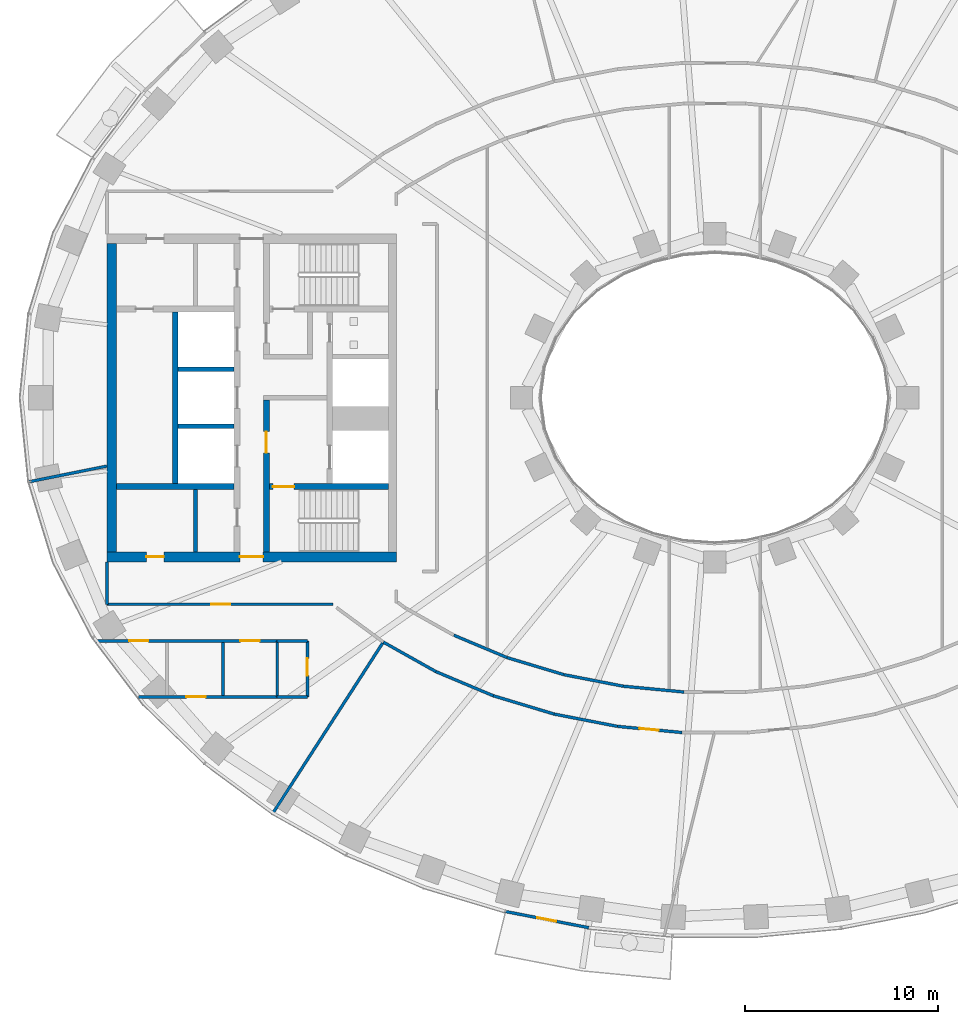
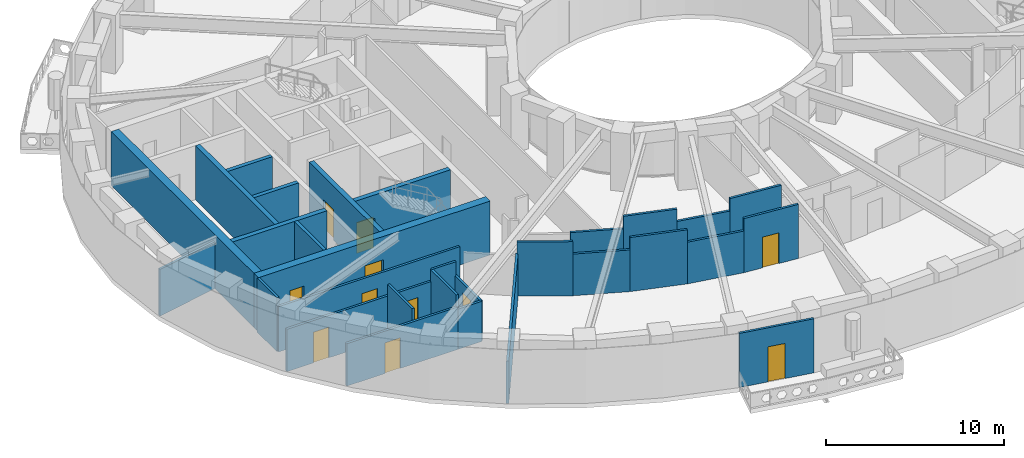
# One storey, part 3 of 16: 30 walls, 11 doors, 11 openings.
"""IFC4 building model written with IfcOpenShell, lengths in metres."""

from ifc_helpers import new_model, si_unit, direction, frame, frame_2d, origin, place, context, subcontext, project, spatial, rectangle, extrude, material, layer, layer_set, type_object, element, fill, save


model = new_model("IFC4")

# Units and contexts
model_context = context("Model", 3, precision=1e-05, world=origin(), true_north=direction((0.0, 1.0)))
body_context = subcontext(model_context, "Body", "Model", "MODEL_VIEW")
ifc_project = project(units=[si_unit("LENGTHUNIT", "METRE"), si_unit("AREAUNIT", "SQUARE_METRE"), si_unit("VOLUMEUNIT", "CUBIC_METRE"), si_unit("PLANEANGLEUNIT", "RADIAN"), si_unit("MASSUNIT", "GRAM", prefix="KILO")], contexts=[model_context])

# Site, building, storey
site_placement = place(None, origin())
site = spatial("IfcSite", under=ifc_project, at=site_placement, CompositionType="ELEMENT")
building_placement = place(site_placement, origin())
building = spatial("IfcBuilding", under=site, at=building_placement, Name="Noorbagh Ring Tower", CompositionType="ELEMENT")
storey_placement = place(building_placement, frame((0.0, 0.0, 136.0)))
storey = spatial("IfcBuildingStorey", under=building, at=storey_placement, Name="L31", CompositionType="ELEMENT", Elevation=136.0)

# Walls
ifc_material_1 = material(Name="Gypsum board on steel studs", Category="steel")
ifc_layer_1 = layer(ifc_material_1, 0.14990234375)
ifc_layer_set_1 = layer_set([ifc_layer_1], Name="Gypsum board on steel studs")
wall_type_1 = type_object("IfcWallType", Name="COMPARTMENT PARTITION 150 EI 60", PredefinedType="PARTITIONING", material=ifc_layer_set_1)
wall_1_placement = place(storey_placement, frame((-22.6689453125, -15.5, 0.0), z_axis=(0.0, 0.0, 1.0), x_axis=(0.0, 1.0, 0.0)))
element("IfcWall", 1, at=wall_1_placement, inside=storey, type_object=wall_type_1, Name="L31/wall/P11", PredefinedType="PARTITIONING", context=body_context, shape_type="SweptSolid", body=[
    extrude(rectangle(XDim=2.89990234375, YDim=0.14990234375, at=frame_2d((1.449951171875, 0.0))), origin(), (0.0, 0.0, 1.0), 3.699951171875),
])
wall_2_placement = place(storey_placement, frame((-22.6689453125, -15.5, 0.0), z_axis=(0.0, 0.0, 1.0), x_axis=(1.0, 0.0, 0.0)))
element("IfcWall", 2, at=wall_2_placement, inside=storey, type_object=wall_type_1, Name="L31/wall/P12", PredefinedType="PARTITIONING", context=body_context, shape_type="SweptSolid", body=[
    extrude(rectangle(XDim=1.554931640625, YDim=0.14990234375, at=frame_2d((0.77734375, 0.0))), origin(), (0.0, 0.0, 1.0), 2.75),
])
wall_3_placement = place(storey_placement, frame((-22.6689453125, -12.60009765625, 0.0), z_axis=(0.0, 0.0, 1.0), x_axis=(1.0, 0.0, 0.0)))
element("IfcWall", 3, at=wall_3_placement, inside=storey, type_object=wall_type_1, Name="L31/wall/P13", PredefinedType="PARTITIONING", context=body_context, shape_type="SweptSolid", body=[
    extrude(rectangle(XDim=1.558837890625, YDim=0.14990234375, at=frame_2d((0.779296875, 0.0))), origin(), (0.0, 0.0, 1.0), 3.699951171875),
])

# Wall, opening, door
wall_4_placement = place(storey_placement, frame((-21.110107421875, -15.49609375, 0.0), z_axis=(0.0, 0.0, 1.0), x_axis=(0.0, 1.0, 0.0)))
wall_4 = element("IfcWall", 4, at=wall_4_placement, inside=storey, type_object=wall_type_1, Name="L31/wall/P14", PredefinedType="PARTITIONING", context=body_context, shape_type="SweptSolid", body=[
    extrude(rectangle(XDim=2.89599609375, YDim=0.14990234375, at=frame_2d((1.447998046875, 0.0))), origin(), (0.0, 0.0, 1.0), 2.75),
])
opening_1_placement = place(wall_4_placement, frame((1.095947265625, 0.0, 0.0)))
opening_1 = element("IfcOpeningElement", 5, at=opening_1_placement, cuts=wall_4, Name="Opening D4", PredefinedType="OPENING", context=body_context, shape_type="SweptSolid", body=[
    extrude(rectangle(XDim=0.89990234375, YDim=2.10009765625, at=frame_2d((0.449951171875, 1.050048828125))), frame((0.0, 0.0849609375, 0.0), z_axis=(0.0, -1.0, 0.0), x_axis=(1.0, 0.0, 0.0)), (0.0, 0.0, 1.0), 0.169921875),
])
ifc_material_2 = material(Name="Timber, painted", Category="wood")
door_type_1 = type_object("IfcDoorType", Name="DOOR 900 X 2100 FD60", OperationType="SINGLE_SWING_LEFT", PredefinedType="DOOR", material=ifc_material_2)
door_1_placement = place(opening_1_placement, origin())
door_1 = element("IfcDoor", 6, at=door_1_placement, inside=storey, type_object=door_type_1, Name="L31-D05", OperationType="SINGLE_SWING_LEFT", OverallHeight=2.10009765625, OverallWidth=0.89990234375, PredefinedType="DOOR", context=body_context, shape_type="SweptSolid", body=[
    extrude(rectangle(XDim=0.89990234375, YDim=2.10009765625, at=frame_2d((0.449951171875, 1.050048828125))), frame((0.0, 0.02490234375, 0.0), z_axis=(0.0, -1.0, 0.0), x_axis=(1.0, 0.0, 0.0)), (0.0, 0.0, 1.0), 0.050048828125),
])
fill(opening_1, door_1)

# Walls
ifc_material_3 = material(Name="Gypsum board on steel studs", Category="steel")
ifc_layer_2 = layer(ifc_material_3, 0.199951171875)
ifc_layer_set_2 = layer_set([ifc_layer_2], Name="Gypsum board on steel studs")
wall_type_2 = type_object("IfcWallType", Name="CORE-PARTITION-200", PredefinedType="PARTITIONING", material=ifc_layer_set_2)
wall_5_placement = place(storey_placement, frame((-26.89990234375, -8.0, 0.0), z_axis=(0.0, 0.0, 1.0), x_axis=(0.0, 1.0, 0.0)))
element("IfcWall", 7, at=wall_5_placement, inside=storey, type_object=wall_type_2, Name="Core partition W", PredefinedType="PARTITIONING", context=body_context, shape_type="SweptSolid", body=[
    extrude(rectangle(XDim=3.25, YDim=0.199951171875, at=frame_2d((1.625, 0.0))), origin(), (0.0, 0.0, 1.0), 3.699951171875),
])
ifc_material_4 = material(Name="Concrete C70/85", Category="concrete")
ifc_layer_3 = layer(ifc_material_4, 0.25)
ifc_layer_set_3 = layer_set([ifc_layer_3], Name="Concrete C70/85")
wall_type_3 = type_object("IfcWallType", Name="CORE-WALL-250-C70-85-EI120", PredefinedType="SHEAR", material=ifc_layer_set_3)
for number, where, z_axis, x_axis, name in (
    (8, (-24.89990234375, -1.47509765625, 0.0), (0.0, 0.0, 1.0), (-1.0, 0.0, 0.0), "Core wall W"),
    (9, (-24.89990234375, 1.47509765625, 0.0), (0.0, 0.0, 1.0), (-1.0, 0.0, 0.0), "Core wall W"),
):
    element("IfcWall", number, at=place(storey_placement, frame(where, z_axis=z_axis, x_axis=x_axis)), inside=storey, type_object=wall_type_3, Name=name, PredefinedType="SHEAR", context=body_context, shape_type="SweptSolid", body=[
        extrude(rectangle(XDim=2.900146484375, YDim=0.25, at=frame_2d((1.4501953125, 0.0))), origin(), (0.0, 0.0, 1.0), 3.699951171875),
    ])
ifc_material_5 = material(Name="Concrete C70/85", Category="concrete")
ifc_layer_4 = layer(ifc_material_5, 0.300048828125)
ifc_layer_set_4 = layer_set([ifc_layer_4], Name="Concrete C70/85")
wall_type_4 = type_object("IfcWallType", Name="CORE-WALL-300-C70-85-EI120", PredefinedType="SHEAR", material=ifc_layer_set_4)
wall_6_placement = place(storey_placement, frame((-27.949951171875, -4.449951171875, 0.0), z_axis=(0.0, 0.0, 1.0), x_axis=(0.0, 1.0, 0.0)))
element("IfcWall", 10, at=wall_6_placement, inside=storey, type_object=wall_type_4, Name="Core wall W", PredefinedType="SHEAR", context=body_context, shape_type="SweptSolid", body=[
    extrude(rectangle(XDim=8.89990234375, YDim=0.300048828125, at=frame_2d((4.449951171875, 0.0))), origin(), (0.0, 0.0, 1.0), 3.699951171875),
])
ifc_material_6 = material(Name="Concrete C70/85", Category="concrete")
ifc_layer_5 = layer(ifc_material_6, 0.300048828125)
ifc_layer_set_5 = layer_set([ifc_layer_5], Name="Concrete C70/85")
wall_type_5 = type_object("IfcWallType", Name="CORE-WALL-300-C70-85-EI240", PredefinedType="SHEAR", material=ifc_layer_set_5)
wall_7_placement = place(storey_placement, frame((-24.89990234375, -4.60009765625, 0.0), z_axis=(0.0, 0.0, 1.0), x_axis=(-1.0, 0.0, 0.0)))
element("IfcWall", 11, at=wall_7_placement, inside=storey, type_object=wall_type_5, Name="Core wall W", PredefinedType="SHEAR", context=body_context, shape_type="SweptSolid", body=[
    extrude(rectangle(XDim=6.10009765625, YDim=0.300048828125, at=frame_2d((3.050048828125, 0.0))), origin(), (0.0, 0.0, 1.0), 3.699951171875),
])

# Wall, opening, door
wall_8_placement = place(storey_placement, frame((-23.22998046875, -8.0, 0.0), z_axis=(0.0, 0.0, 1.0), x_axis=(0.0, 1.0, 0.0)))
wall_8 = element("IfcWall", 12, at=wall_8_placement, inside=storey, type_object=wall_type_5, Name="Core wall W", PredefinedType="SHEAR", context=body_context, shape_type="SweptSolid", body=[
    extrude(rectangle(XDim=7.875, YDim=0.300048828125, at=frame_2d((3.9375, 0.0))), origin(), (0.0, 0.0, 1.0), 3.699951171875),
])
opening_2_placement = place(wall_8_placement, frame((5.14990234375, 0.0, 0.0)))
opening_2 = element("IfcOpeningElement", 13, at=opening_2_placement, cuts=wall_8, Name="Opening L31-CW07", PredefinedType="OPENING", context=body_context, shape_type="SweptSolid", body=[
    extrude(rectangle(XDim=1.10009765625, YDim=2.10009765625, at=frame_2d((0.550048828125, 1.050048828125))), frame((0.0, 0.16015625, 0.0), z_axis=(0.0, -1.0, 0.0), x_axis=(1.0, 0.0, 0.0)), (0.0, 0.0, 1.0), 0.320068359375),
])
ifc_material_7 = material(Name="Steel door leaf", Category="steel")
door_type_2 = type_object("IfcDoorType", Name="CORE-DOOR-DFF", OperationType="SINGLE_SWING_LEFT", PredefinedType="DOOR", material=ifc_material_7)
door_2_placement = place(opening_2_placement, origin())
door_2 = element("IfcDoor", 14, at=door_2_placement, inside=storey, type_object=door_type_2, Name="Firefighting lobby door L31-CW07", OperationType="SINGLE_SWING_LEFT", OverallHeight=2.10009765625, OverallWidth=1.10009765625, PredefinedType="DOOR", context=body_context, shape_type="SweptSolid", body=[
    extrude(rectangle(XDim=1.10009765625, YDim=2.10009765625, at=frame_2d((0.550048828125, 1.050048828125))), frame((0.0, 0.02490234375, 0.0), z_axis=(0.0, -1.0, 0.0), x_axis=(1.0, 0.0, 0.0)), (0.0, 0.0, 1.0), 0.050048828125),
])
fill(opening_2, door_2)

wall_9_placement = place(storey_placement, frame((-16.89990234375, -4.60009765625, 0.0), z_axis=(0.0, 0.0, 1.0), x_axis=(-1.0, 0.0, 0.0)))
wall_9 = element("IfcWall", 15, at=wall_9_placement, inside=storey, type_object=wall_type_5, Name="Core wall W", PredefinedType="SHEAR", context=body_context, shape_type="SweptSolid", body=[
    extrude(rectangle(XDim=6.18017578125, YDim=0.300048828125, at=frame_2d((3.090087890625, 0.0))), origin(), (0.0, 0.0, 1.0), 3.699951171875),
])
opening_3_placement = place(wall_9_placement, frame((4.89990234375, 0.0, 0.0)))
opening_3 = element("IfcOpeningElement", 16, at=opening_3_placement, cuts=wall_9, Name="Opening L31-CW06", PredefinedType="OPENING", context=body_context, shape_type="SweptSolid", body=[
    extrude(rectangle(XDim=1.10009765625, YDim=2.10009765625, at=frame_2d((0.550048828125, 1.050048828125))), frame((0.0, 0.16015625, 0.0), z_axis=(0.0, -1.0, 0.0), x_axis=(1.0, 0.0, 0.0)), (0.0, 0.0, 1.0), 0.320068359375),
])
ifc_material_8 = material(Name="Steel door leaf", Category="steel")
door_type_3 = type_object("IfcDoorType", Name="CORE-DOOR-DSTAIR", OperationType="SINGLE_SWING_LEFT", PredefinedType="DOOR", material=ifc_material_8)
door_3_placement = place(opening_3_placement, origin())
door_3 = element("IfcDoor", 17, at=door_3_placement, inside=storey, type_object=door_type_3, Name="Stair door ST2 L31-CW06", OperationType="SINGLE_SWING_LEFT", OverallHeight=2.10009765625, OverallWidth=1.10009765625, PredefinedType="DOOR", context=body_context, shape_type="SweptSolid", body=[
    extrude(rectangle(XDim=1.10009765625, YDim=2.10009765625, at=frame_2d((0.550048828125, 1.050048828125))), frame((0.0, 0.02490234375, 0.0), z_axis=(0.0, -1.0, 0.0), x_axis=(1.0, 0.0, 0.0)), (0.0, 0.0, 1.0), 0.050048828125),
])
fill(opening_3, door_3)

# Wall, openings, doors
ifc_material_9 = material(Name="Concrete C70/85", Category="concrete")
ifc_layer_6 = layer(ifc_material_9, 0.5)
ifc_layer_set_6 = layer_set([ifc_layer_6], Name="Concrete C70/85")
wall_type_6 = type_object("IfcWallType", Name="CORE-WALL-500-C70-85-EI240", PredefinedType="SHEAR", material=ifc_layer_set_6)
wall_10_placement = place(storey_placement, frame((-16.5, -8.25, 0.0), z_axis=(0.0, 0.0, 1.0), x_axis=(-1.0, 0.0, 0.0)))
wall_10 = element("IfcWall", 18, at=wall_10_placement, inside=storey, type_object=wall_type_6, Name="Core wall W", PredefinedType="SHEAR", context=body_context, shape_type="SweptSolid", body=[
    extrude(rectangle(XDim=15.0, YDim=0.5, at=frame_2d((7.5, 0.0))), origin(), (0.0, 0.0, 1.0), 3.699951171875),
])
opening_4_placement = place(wall_10_placement, frame((6.89990234375, 0.0, 0.0)))
opening_4 = element("IfcOpeningElement", 19, at=opening_4_placement, cuts=wall_10, Name="Opening L31-CW10", PredefinedType="OPENING", context=body_context, shape_type="SweptSolid", body=[
    extrude(rectangle(XDim=1.199951171875, YDim=2.10009765625, at=frame_2d((0.60009765625, 1.050048828125))), frame((0.0, 0.260009765625, 0.0), z_axis=(0.0, -1.0, 0.0), x_axis=(1.0, 0.0, 0.0)), (0.0, 0.0, 1.0), 0.52001953125),
])
opening_5_placement = place(wall_10_placement, frame((12.050048828125, 0.0, 0.0)))
opening_5 = element("IfcOpeningElement", 20, at=opening_5_placement, cuts=wall_10, Name="Opening L31-CW15", PredefinedType="OPENING", context=body_context, shape_type="SweptSolid", body=[
    extrude(rectangle(XDim=0.89990234375, YDim=2.10009765625, at=frame_2d((0.449951171875, 1.050048828125))), frame((0.0, 0.260009765625, 0.0), z_axis=(0.0, -1.0, 0.0), x_axis=(1.0, 0.0, 0.0)), (0.0, 0.0, 1.0), 0.52001953125),
])
ifc_material_10 = material(Name="Steel door leaf", Category="steel")
door_type_4 = type_object("IfcDoorType", Name="CORE-DOOR-DROOM", OperationType="SINGLE_SWING_LEFT", PredefinedType="DOOR", material=ifc_material_10)
door_4_placement = place(opening_5_placement, origin())
door_4 = element("IfcDoor", 21, at=door_4_placement, inside=storey, type_object=door_type_4, Name="Core room door L31-CW15", OperationType="SINGLE_SWING_LEFT", OverallHeight=2.10009765625, OverallWidth=0.89990234375, PredefinedType="DOOR", context=body_context, shape_type="SweptSolid", body=[
    extrude(rectangle(XDim=0.89990234375, YDim=2.10009765625, at=frame_2d((0.449951171875, 1.050048828125))), frame((0.0, 0.02490234375, 0.0), z_axis=(0.0, -1.0, 0.0), x_axis=(1.0, 0.0, 0.0)), (0.0, 0.0, 1.0), 0.050048828125),
])
fill(opening_5, door_4)
ifc_material_11 = material(Name="Steel door leaf", Category="steel")
door_type_5 = type_object("IfcDoorType", Name="CORE-DOOR-PORT", OperationType="DOUBLE_DOOR_DOUBLE_SWING", PredefinedType="DOOR", material=ifc_material_11)
door_5_placement = place(opening_4_placement, origin())
door_5 = element("IfcDoor", 22, at=door_5_placement, inside=storey, type_object=door_type_5, Name="Core entrance door L31-CW10", OperationType="DOUBLE_DOOR_DOUBLE_SWING", OverallHeight=2.10009765625, OverallWidth=1.199951171875, PredefinedType="DOOR", context=body_context, shape_type="SweptSolid", body=[
    extrude(rectangle(XDim=1.199951171875, YDim=2.10009765625, at=frame_2d((0.60009765625, 1.050048828125))), frame((0.0, 0.02490234375, 0.0), z_axis=(0.0, -1.0, 0.0), x_axis=(1.0, 0.0, 0.0)), (0.0, 0.0, 1.0), 0.050048828125),
])
fill(opening_4, door_5)

# Walls
wall_11_placement = place(storey_placement, frame((-31.25, -8.0, 0.0), z_axis=(0.0, 0.0, 1.0), x_axis=(0.0, 1.0, 0.0)))
element("IfcWall", 23, at=wall_11_placement, inside=storey, type_object=wall_type_6, Name="Core wall W", PredefinedType="SHEAR", context=body_context, shape_type="SweptSolid", body=[
    extrude(rectangle(XDim=16.0, YDim=0.5, at=frame_2d((8.0, 0.0))), origin(), (0.0, 0.0, 1.0), 3.699951171875),
])
ifc_material_12 = material(Name="Gypsum board on steel studs", Category="steel")
ifc_layer_7 = layer(ifc_material_12, 0.14990234375)
ifc_layer_set_7 = layer_set([ifc_layer_7], Name="Gypsum board on steel studs")
wall_type_7 = type_object("IfcWallType", Name="CORRIDOR PARTITION 150 EI 30", PredefinedType="PARTITIONING", material=ifc_layer_set_7)
wall_12_placement = place(storey_placement, frame((-35.511962890625, -4.34912109375, 0.0), z_axis=(0.0, 0.0, 1.0), x_axis=(0.980357474535, 0.197228857227, 0.0)))
element("IfcWall", 24, at=wall_12_placement, inside=storey, type_object=wall_type_7, Name="L31/wall/P01", PredefinedType="PARTITIONING", context=body_context, shape_type="SweptSolid", body=[
    extrude(rectangle(XDim=4.09228515625, YDim=0.14990234375, at=frame_2d((2.046142578125, 0.0))), origin(), (0.0, 0.0, 1.0), 3.199951171875),
])

# Wall, openings, doors
wall_13_placement = place(storey_placement, frame((-32.06298828125, -12.60009765625, 0.0), z_axis=(0.0, 0.0, 1.0), x_axis=(1.0, 0.0, 0.0)))
wall_13 = element("IfcWall", 25, at=wall_13_placement, inside=storey, type_object=wall_type_7, Name="L31/wall/P02", PredefinedType="PARTITIONING", context=body_context, shape_type="SweptSolid", body=[
    extrude(rectangle(XDim=9.39404296875, YDim=0.14990234375, at=frame_2d((4.697021484375, 0.0))), origin(), (0.0, 0.0, 1.0), 2.89990234375),
])
opening_6_placement = place(wall_13_placement, frame((1.712890625, 0.0, 0.0)))
opening_6 = element("IfcOpeningElement", 26, at=opening_6_placement, cuts=wall_13, Name="Opening D3", PredefinedType="OPENING", context=body_context, shape_type="SweptSolid", body=[
    extrude(rectangle(XDim=1.0, YDim=2.10009765625, at=frame_2d((0.5, 1.050048828125))), frame((0.0, 0.0849609375, 0.0), z_axis=(0.0, -1.0, 0.0), x_axis=(1.0, 0.0, 0.0)), (0.0, 0.0, 1.0), 0.169921875),
])
opening_7_placement = place(wall_13_placement, frame((7.486083984375, 0.0, 0.0)))
opening_7 = element("IfcOpeningElement", 27, at=opening_7_placement, cuts=wall_13, Name="Opening D3", PredefinedType="OPENING", context=body_context, shape_type="SweptSolid", body=[
    extrude(rectangle(XDim=1.0, YDim=2.10009765625, at=frame_2d((0.5, 1.050048828125))), frame((0.0, 0.0849609375, 0.0), z_axis=(0.0, -1.0, 0.0), x_axis=(1.0, 0.0, 0.0)), (0.0, 0.0, 1.0), 0.169921875),
])
ifc_material_13 = material(Name="Timber, painted", Category="wood")
door_type_6 = type_object("IfcDoorType", Name="DOOR 1000 X 2100 WC", OperationType="SINGLE_SWING_LEFT", PredefinedType="DOOR", material=ifc_material_13)
door_6_placement = place(opening_6_placement, origin())
door_6 = element("IfcDoor", 28, at=door_6_placement, inside=storey, type_object=door_type_6, Name="L31-D02", OperationType="SINGLE_SWING_RIGHT", OverallHeight=2.10009765625, OverallWidth=1.0, PredefinedType="DOOR", context=body_context, shape_type="SweptSolid", body=[
    extrude(rectangle(XDim=1.0, YDim=2.10009765625, at=frame_2d((0.5, 1.050048828125))), frame((0.0, 0.02490234375, 0.0), z_axis=(0.0, -1.0, 0.0), x_axis=(1.0, 0.0, 0.0)), (0.0, 0.0, 1.0), 0.050048828125),
])
fill(opening_6, door_6)
door_7_placement = place(opening_7_placement, origin())
door_7 = element("IfcDoor", 29, at=door_7_placement, inside=storey, type_object=door_type_6, Name="L31-D04", OperationType="SINGLE_SWING_RIGHT", OverallHeight=2.10009765625, OverallWidth=1.0, PredefinedType="DOOR", context=body_context, shape_type="SweptSolid", body=[
    extrude(rectangle(XDim=1.0, YDim=2.10009765625, at=frame_2d((0.5, 1.050048828125))), frame((0.0, 0.02490234375, 0.0), z_axis=(0.0, -1.0, 0.0), x_axis=(1.0, 0.0, 0.0)), (0.0, 0.0, 1.0), 0.050048828125),
])
fill(opening_7, door_7)

# Wall
wall_14_placement = place(storey_placement, frame((-31.5, -10.699951171875, 0.0), z_axis=(0.0, 0.0, 1.0), x_axis=(0.0, 1.0, 0.0)))
element("IfcWall", 30, at=wall_14_placement, inside=storey, type_object=wall_type_7, Name="L31/wall/P03", PredefinedType="PARTITIONING", context=body_context, shape_type="SweptSolid", body=[
    extrude(rectangle(XDim=2.199951171875, YDim=0.14990234375, at=frame_2d((1.10009765625, 0.0))), origin(), (0.0, 0.0, 1.0), 3.699951171875),
])

# Wall, opening, door
wall_15_placement = place(storey_placement, frame((-31.5, -10.699951171875, 0.0), z_axis=(0.0, 0.0, 1.0), x_axis=(1.0, 0.0, 0.0)))
wall_15 = element("IfcWall", 31, at=wall_15_placement, inside=storey, type_object=wall_type_7, Name="L31/wall/P04", PredefinedType="PARTITIONING", context=body_context, shape_type="SweptSolid", body=[
    extrude(rectangle(XDim=11.722900390625, YDim=0.14990234375, at=frame_2d((5.861328125, 0.0))), origin(), (0.0, 0.0, 1.0), 3.10009765625),
])
opening_8_placement = place(wall_15_placement, frame((5.39990234375, 0.0, 0.0)))
opening_8 = element("IfcOpeningElement", 32, at=opening_8_placement, cuts=wall_15, Name="Opening D1", PredefinedType="OPENING", context=body_context, shape_type="SweptSolid", body=[
    extrude(rectangle(XDim=1.0, YDim=2.10009765625, at=frame_2d((0.5, 1.050048828125))), frame((0.0, 0.0849609375, 0.0), z_axis=(0.0, -1.0, 0.0), x_axis=(1.0, 0.0, 0.0)), (0.0, 0.0, 1.0), 0.169921875),
])
ifc_material_14 = material(Name="Timber, painted", Category="wood")
door_type_7 = type_object("IfcDoorType", Name="DOOR 1000 X 2100 FD30", OperationType="SINGLE_SWING_LEFT", PredefinedType="DOOR", material=ifc_material_14)
door_8_placement = place(opening_8_placement, origin())
door_8 = element("IfcDoor", 33, at=door_8_placement, inside=storey, type_object=door_type_7, Name="L31-D01", OperationType="SINGLE_SWING_LEFT", OverallHeight=2.10009765625, OverallWidth=1.0, PredefinedType="DOOR", context=body_context, shape_type="SweptSolid", body=[
    extrude(rectangle(XDim=1.0, YDim=2.10009765625, at=frame_2d((0.5, 1.050048828125))), frame((0.0, 0.02490234375, 0.0), z_axis=(0.0, -1.0, 0.0), x_axis=(1.0, 0.0, 0.0)), (0.0, 0.0, 1.0), 0.050048828125),
])
fill(opening_8, door_8)

wall_16_placement = place(storey_placement, frame((-29.864990234375, -15.5, 0.0), z_axis=(0.0, 0.0, 1.0), x_axis=(1.0, 0.0, 0.0)))
wall_16 = element("IfcWall", 34, at=wall_16_placement, inside=storey, type_object=wall_type_7, Name="L31/wall/P07", PredefinedType="PARTITIONING", context=body_context, shape_type="SweptSolid", body=[
    extrude(rectangle(XDim=7.196044921875, YDim=0.14990234375, at=frame_2d((3.59814453125, 0.0))), origin(), (0.0, 0.0, 1.0), 2.89990234375),
])
opening_9_placement = place(wall_16_placement, frame((2.488037109375, 0.0, 0.0)))
opening_9 = element("IfcOpeningElement", 35, at=opening_9_placement, cuts=wall_16, Name="Opening D3", PredefinedType="OPENING", context=body_context, shape_type="SweptSolid", body=[
    extrude(rectangle(XDim=1.0, YDim=2.10009765625, at=frame_2d((0.5, 1.050048828125))), frame((0.0, 0.0849609375, 0.0), z_axis=(0.0, -1.0, 0.0), x_axis=(1.0, 0.0, 0.0)), (0.0, 0.0, 1.0), 0.169921875),
])
door_9_placement = place(opening_9_placement, origin())
door_9 = element("IfcDoor", 36, at=door_9_placement, inside=storey, type_object=door_type_6, Name="L31-D03", OperationType="SINGLE_SWING_LEFT", OverallHeight=2.10009765625, OverallWidth=1.0, PredefinedType="DOOR", context=body_context, shape_type="SweptSolid", body=[
    extrude(rectangle(XDim=1.0, YDim=2.10009765625, at=frame_2d((0.5, 1.050048828125))), frame((0.0, 0.02490234375, 0.0), z_axis=(0.0, -1.0, 0.0), x_axis=(1.0, 0.0, 0.0)), (0.0, 0.0, 1.0), 0.050048828125),
])
fill(opening_9, door_9)

# Walls
wall_17_placement = place(storey_placement, frame((-25.47705078125, -15.425048828125, 0.0), z_axis=(0.0, 0.0, 1.0), x_axis=(0.0, 1.0, 0.0)))
element("IfcWall", 37, at=wall_17_placement, inside=storey, type_object=wall_type_7, Name="L31/wall/P09", PredefinedType="PARTITIONING", context=body_context, shape_type="SweptSolid", body=[
    extrude(rectangle(XDim=2.75, YDim=0.14990234375, at=frame_2d((1.375, 0.0))), origin(), (0.0, 0.0, 1.0), 3.699951171875),
])
wall_18_placement = place(storey_placement, frame((-22.905029296875, -21.5419921875, 0.0), z_axis=(0.0, 0.0, 1.0), x_axis=(0.542214233103, 0.840240278385, 0.0)))
element("IfcWall", 38, at=wall_18_placement, inside=storey, type_object=wall_type_7, Name="L31/wall/P10", PredefinedType="PARTITIONING", context=body_context, shape_type="SweptSolid", body=[
    extrude(rectangle(XDim=10.56591796875, YDim=0.14990234375, at=frame_2d((5.282958984375, 0.0))), origin(), (0.0, 0.0, 1.0), 2.89990234375),
])
wall_19_placement = place(storey_placement, frame((-17.173095703125, -12.660888671875, 0.0), z_axis=(0.0, 0.0, 1.0), x_axis=(0.872054495499, -0.489408783003, 0.0)))
element("IfcWall", 39, at=wall_19_placement, inside=storey, type_object=wall_type_7, Name="L31/wall/P17", PredefinedType="PARTITIONING", context=body_context, shape_type="SweptSolid", body=[
    extrude(rectangle(XDim=3.128173828125, YDim=0.14990234375, at=frame_2d((1.56396484375, 0.0))), origin(), (0.0, 0.0, 1.0), 3.699951171875),
])
wall_20_placement = place(storey_placement, frame((-14.445068359375, -14.19189453125, 0.0), z_axis=(0.0, 0.0, 1.0), x_axis=(0.921794929211, -0.387677841101, 0.0)))
element("IfcWall", 40, at=wall_20_placement, inside=storey, type_object=wall_type_7, Name="L31/wall/P27", PredefinedType="PARTITIONING", context=body_context, shape_type="SweptSolid", body=[
    extrude(rectangle(XDim=3.224365234375, YDim=0.14990234375, at=frame_2d((1.6123046875, 0.0))), origin(), (0.0, 0.0, 1.0), 2.85009765625),
])
wall_21_placement = place(storey_placement, frame((-13.52099609375, -12.302978515625, 0.0), z_axis=(0.0, 0.0, 1.0), x_axis=(0.921848667289, -0.387550041438, 0.0)))
element("IfcWall", 41, at=wall_21_placement, inside=storey, type_object=wall_type_7, Name="L31/wall/P30", PredefinedType="PARTITIONING", context=body_context, shape_type="SweptSolid", body=[
    extrude(rectangle(XDim=2.992919921875, YDim=0.14990234375, at=frame_2d((1.49658203125, 0.0))), origin(), (0.0, 0.0, 1.0), 2.85009765625),
])
wall_22_placement = place(storey_placement, frame((-11.472900390625, -15.44189453125, 0.0), z_axis=(0.0, 0.0, 1.0), x_axis=(0.957544199748, -0.288286499041, 0.0)))
element("IfcWall", 42, at=wall_22_placement, inside=storey, type_object=wall_type_7, Name="L31/wall/P33", PredefinedType="PARTITIONING", context=body_context, shape_type="SweptSolid", body=[
    extrude(rectangle(XDim=3.292724609375, YDim=0.14990234375, at=frame_2d((1.646484375, 0.0))), origin(), (0.0, 0.0, 1.0), 3.699951171875),
])
wall_23_placement = place(storey_placement, frame((-10.761962890625, -13.462890625, 0.0), z_axis=(0.0, 0.0, 1.0), x_axis=(0.957609782402, -0.288068576292, 0.0)))
element("IfcWall", 43, at=wall_23_placement, inside=storey, type_object=wall_type_7, Name="L31/wall/P36", PredefinedType="PARTITIONING", context=body_context, shape_type="SweptSolid", body=[
    extrude(rectangle(XDim=3.076416015625, YDim=0.14990234375, at=frame_2d((1.5380859375, 0.0))), origin(), (0.0, 0.0, 1.0), 3.699951171875),
])
wall_24_placement = place(storey_placement, frame((-8.320068359375, -16.39111328125, 0.0), z_axis=(0.0, 0.0, 1.0), x_axis=(0.981650748697, -0.190687722683, 0.0)))
element("IfcWall", 44, at=wall_24_placement, inside=storey, type_object=wall_type_7, Name="L31/wall/P38", PredefinedType="PARTITIONING", context=body_context, shape_type="SweptSolid", body=[
    extrude(rectangle(XDim=3.34033203125, YDim=0.14990234375, at=frame_2d((1.670166015625, 0.0))), origin(), (0.0, 0.0, 1.0), 2.85009765625),
])
wall_25_placement = place(storey_placement, frame((-7.81591796875, -14.34912109375, 0.0), z_axis=(0.0, 0.0, 1.0), x_axis=(0.981627147181, -0.190809181955, 0.0)))
element("IfcWall", 45, at=wall_25_placement, inside=storey, type_object=wall_type_7, Name="L31/wall/P40", PredefinedType="PARTITIONING", context=body_context, shape_type="SweptSolid", body=[
    extrude(rectangle(XDim=3.133544921875, YDim=0.14990234375, at=frame_2d((1.56689453125, 0.0))), origin(), (0.0, 0.0, 1.0), 2.85009765625),
])

# Wall, opening, door
wall_26_placement = place(storey_placement, frame((-5.041015625, -17.028076171875, 0.0), z_axis=(0.0, 0.0, 1.0), x_axis=(0.99548178004, -0.094952754613, 0.0)))
wall_26 = element("IfcWall", 46, at=wall_26_placement, inside=storey, type_object=wall_type_7, Name="L31/wall/P42", PredefinedType="PARTITIONING", context=body_context, shape_type="SweptSolid", body=[
    extrude(rectangle(XDim=3.3681640625, YDim=0.14990234375, at=frame_2d((1.68408203125, 0.0))), origin(), (0.0, 0.0, 1.0), 3.699951171875),
])
opening_10_placement = place(wall_26_placement, frame((1.14990234375, 0.0, 0.0)))
opening_10 = element("IfcOpeningElement", 47, at=opening_10_placement, cuts=wall_26, Name="Opening D1", PredefinedType="OPENING", context=body_context, shape_type="SweptSolid", body=[
    extrude(rectangle(XDim=1.0, YDim=2.10009765625, at=frame_2d((0.5, 1.050048828125))), frame((0.0, 0.0849609375, 0.0), z_axis=(0.0, -1.0, 0.0), x_axis=(1.0, 0.0, 0.0)), (0.0, 0.0, 1.0), 0.169921875),
])
door_10_placement = place(opening_10_placement, origin())
door_10 = element("IfcDoor", 48, at=door_10_placement, inside=storey, type_object=door_type_7, Name="L31-D07", OperationType="SINGLE_SWING_LEFT", OverallHeight=2.10009765625, OverallWidth=1.0, PredefinedType="DOOR", context=body_context, shape_type="SweptSolid", body=[
    extrude(rectangle(XDim=1.0, YDim=2.10009765625, at=frame_2d((0.5, 1.050048828125))), frame((0.0, 0.02490234375, 0.0), z_axis=(0.0, -1.0, 0.0), x_axis=(1.0, 0.0, 0.0)), (0.0, 0.0, 1.0), 0.050048828125),
])
fill(opening_10, door_10)

# Wall
wall_27_placement = place(storey_placement, frame((-4.739990234375, -14.947021484375, 0.0), z_axis=(0.0, 0.0, 1.0), x_axis=(0.995467349369, -0.095103923894, 0.0)))
element("IfcWall", 49, at=wall_27_placement, inside=storey, type_object=wall_type_7, Name="L31/wall/P44", PredefinedType="PARTITIONING", context=body_context, shape_type="SweptSolid", body=[
    extrude(rectangle(XDim=3.165283203125, YDim=0.14990234375, at=frame_2d((1.58251953125, 0.0))), origin(), (0.0, 0.0, 1.0), 3.699951171875),
])

# Wall, opening, door
ifc_material_15 = material(Name="Insulated aluminium clad panel", Category="aluminium")
ifc_layer_8 = layer(ifc_material_15, 0.14990234375)
ifc_layer_set_8 = layer_set([ifc_layer_8], Name="Insulated aluminium clad panel")
wall_type_8 = type_object("IfcWallType", Name="ENV-WALL-DOOR", PredefinedType="STANDARD", material=ifc_layer_set_8)
wall_28_placement = place(storey_placement, frame((-10.87060546875, -26.616943359375, 0.0), z_axis=(0.0, 0.0, 1.0), x_axis=(0.981631174778, -0.190788460615, 0.0)))
wall_28 = element("IfcWall", 50, at=wall_28_placement, inside=storey, type_object=wall_type_8, Name="Balcony door wall chord 33", PredefinedType="STANDARD", context=body_context, shape_type="SweptSolid", body=[
    extrude(rectangle(XDim=4.42626953125, YDim=0.14990234375, at=frame_2d((2.213134765625, 0.0))), origin(), (0.0, 0.0, 1.0), 3.699951171875),
])
opening_11_placement = place(wall_28_placement, frame((1.713134765625, 0.0, 0.0)))
opening_11 = element("IfcOpeningElement", 51, at=opening_11_placement, cuts=wall_28, Name="Opening D-BL", PredefinedType="OPENING", context=body_context, shape_type="SweptSolid", body=[
    extrude(rectangle(XDim=1.0, YDim=2.39990234375, at=frame_2d((0.5, 1.199951171875))), frame((0.0, 0.0849609375, 0.0), z_axis=(0.0, -1.0, 0.0), x_axis=(1.0, 0.0, 0.0)), (0.0, 0.0, 1.0), 0.169921875),
])
ifc_material_16 = material(Name="Aluminium and glass", Category="aluminium")
door_type_8 = type_object("IfcDoorType", Name="ENV-DOOR-BALCONY", OperationType="SINGLE_SWING_LEFT", PredefinedType="DOOR", material=ifc_material_16)
door_11_placement = place(opening_11_placement, origin())
door_11 = element("IfcDoor", 52, at=door_11_placement, inside=storey, type_object=door_type_8, Name="Balcony door chord 33", OperationType="SINGLE_SWING_RIGHT", OverallHeight=2.39990234375, OverallWidth=1.0, PredefinedType="DOOR", context=body_context, shape_type="SweptSolid", body=[
    extrude(rectangle(XDim=1.0, YDim=2.39990234375, at=frame_2d((0.5, 1.199951171875))), frame((0.0, 0.02490234375, 0.0), z_axis=(0.0, -1.0, 0.0), x_axis=(1.0, 0.0, 0.0)), (0.0, 0.0, 1.0), 0.050048828125),
])
fill(opening_11, door_11)

save(model, "model.ifc")
